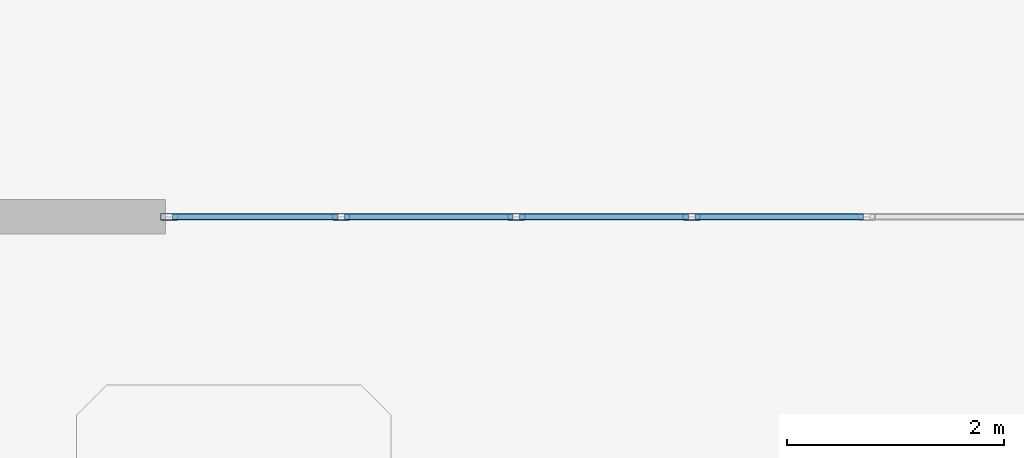
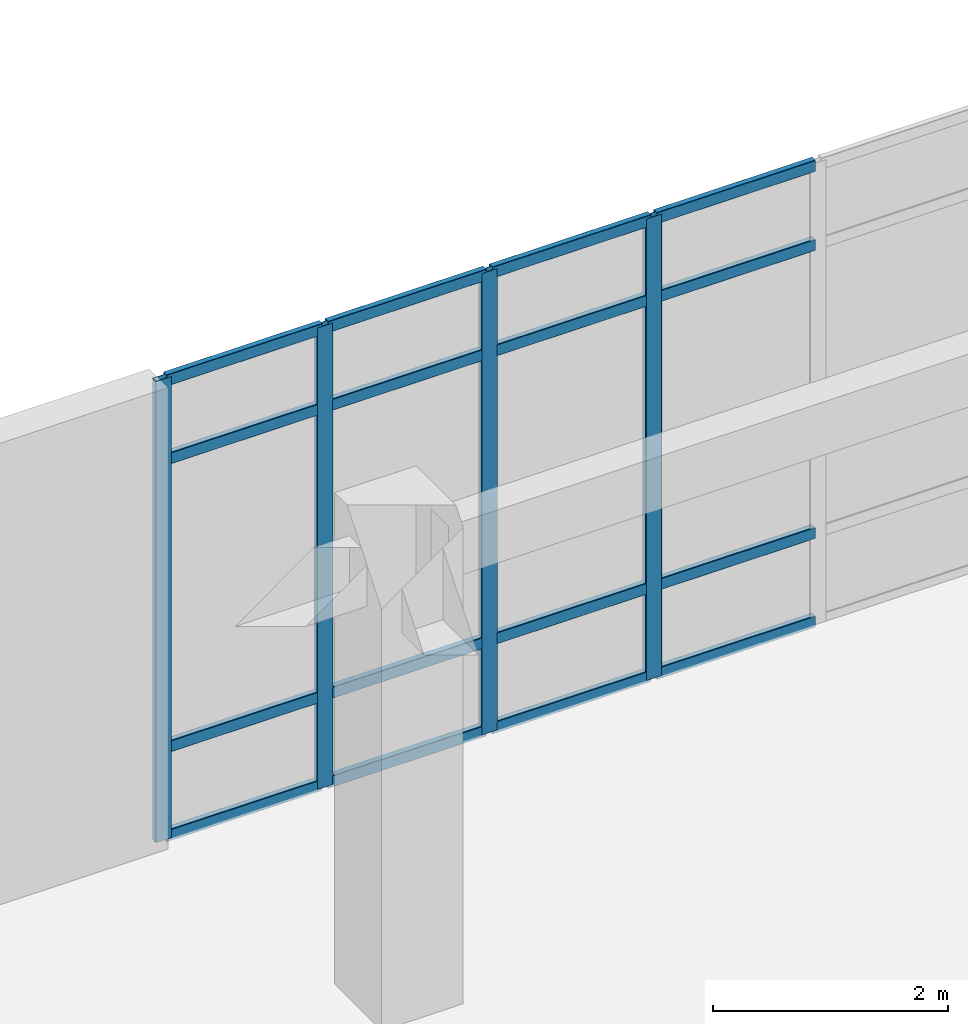
# One storey, part 75 of 124: 20 members, 1 element without a shape of its own.
"""IFC4 building model written with IfcOpenShell, lengths in metres."""

from ifc_helpers import new_model, si_unit, derived_unit, direction, frame, origin, origin_2d, place, context, subcontext, project, spatial, hollow_rectangle, extrude, material, layer, layer_set, material_profile, profile_set, type_object, element, aggregate, save


model = new_model("IFC4")

# Units and contexts
model_context = context("Model", 3, precision=1e-05, world=origin(), true_north=direction((0.0, 1.0)))
body_context = subcontext(model_context, "Body", "Model", "MODEL_VIEW")
ifc_project = project(units=[si_unit("LENGTHUNIT", "METRE"), si_unit("AREAUNIT", "SQUARE_METRE"), si_unit("VOLUMEUNIT", "CUBIC_METRE"), si_unit("PLANEANGLEUNIT", "RADIAN"), si_unit("MASSUNIT", "GRAM", prefix="KILO"), derived_unit("THERMALTRANSMITTANCEUNIT", [(si_unit("MASSUNIT", "GRAM", prefix="KILO"), 1), (si_unit("TIMEUNIT", "SECOND"), -3), (si_unit("THERMODYNAMICTEMPERATUREUNIT", "KELVIN"), -1)])], contexts=[model_context])

# Site, building, storey
site_placement = place(None, origin())
site = spatial("IfcSite", under=ifc_project, at=site_placement, CompositionType="ELEMENT")
building_placement = place(site_placement, origin())
building = spatial("IfcBuilding", under=site, at=building_placement, Name="Qinzheling Arcade Emporium", CompositionType="ELEMENT")
storey_placement = place(building_placement, frame((0.0, 0.0, 16.5)))
storey = spatial("IfcBuildingStorey", under=building, at=storey_placement, Name="L04", CompositionType="ELEMENT", Elevation=16.5)

# Curtain wall, members
ifc_material_1 = material(Name="Anodised aluminium and solar-control double glazing", Category="aluminium")
ifc_layer = layer(ifc_material_1, 0.159912109375, Name="Anodised aluminium and solar-control double glazing", Category="aluminium")
ifc_layer_set = layer_set([ifc_layer], Name="Anodised aluminium and solar-control double glazing")
curtain_wall_type = type_object("IfcCurtainWallType", Name="Food Hall Loggia Curtain Wall", PredefinedType="NOTDEFINED", material=ifc_layer_set)
curtain_wall_placement = place(storey_placement, origin())
curtain_wall = element("IfcCurtainWall", 1, at=curtain_wall_placement, inside=storey, type_object=curtain_wall_type, Name="Curtain Wall CW-L04-219", PredefinedType="NOTDEFINED")
ifc_material_2 = material(Name="Anodised aluminium 6063-T6", Category="aluminium")
ifc_material_profile_1 = material_profile(ifc_material_2, hollow_rectangle(XDim=0.06005859375, YDim=0.159912109375, WallThickness=0.00390625, InnerFilletRadius=0.00390625, OuterFilletRadius=0.008056640625, at=origin_2d()), Name="RHS 160x60x4", Category="aluminium")
ifc_profile_set_1 = profile_set([ifc_material_profile_1], Name="Anodised aluminium 6063-T6")
member_type_1 = type_object("IfcMemberType", Name="Curtain Wall Mullion RHS160x60", PredefinedType="MULLION", material=ifc_profile_set_1)
member_1_placement = place(storey_placement, frame((129.906982421875, 28.199951171875, 0.0), z_axis=(0.0, 0.0, 1.0), x_axis=(0.0, 1.0, 0.0)))
member_1 = element("IfcMember", 2, at=member_1_placement, type_object=member_type_1, Name="CW04 mullion 1", PredefinedType="MULLION", context=body_context, shape_type="SweptSolid", body=[
    extrude(hollow_rectangle(XDim=0.06005859375, YDim=0.159912109375, WallThickness=0.00390625, InnerFilletRadius=0.00390625, OuterFilletRadius=0.008056640625, at=origin_2d()), origin(), (0.0, 0.0, 1.0), 4.7900390625),
])
member_2_placement = place(storey_placement, frame((131.4912109375, 28.199951171875, 0.0), z_axis=(0.0, 0.0, 1.0), x_axis=(0.0, 1.0, 0.0)))
member_2 = element("IfcMember", 3, at=member_2_placement, type_object=member_type_1, Name="CW04 mullion 2", PredefinedType="MULLION", context=body_context, shape_type="SweptSolid", body=[
    extrude(hollow_rectangle(XDim=0.06005859375, YDim=0.159912109375, WallThickness=0.00390625, InnerFilletRadius=0.00390625, OuterFilletRadius=0.008056640625, at=origin_2d()), origin(), (0.0, 0.0, 1.0), 4.7900390625),
])
member_3_placement = place(storey_placement, frame((133.10546875, 28.199951171875, 0.0), z_axis=(0.0, 0.0, 1.0), x_axis=(0.0, 1.0, 0.0)))
member_3 = element("IfcMember", 4, at=member_3_placement, type_object=member_type_1, Name="CW04 mullion 3", PredefinedType="MULLION", context=body_context, shape_type="SweptSolid", body=[
    extrude(hollow_rectangle(XDim=0.06005859375, YDim=0.159912109375, WallThickness=0.00390625, InnerFilletRadius=0.00390625, OuterFilletRadius=0.008056640625, at=origin_2d()), origin(), (0.0, 0.0, 1.0), 4.7900390625),
])
member_4_placement = place(storey_placement, frame((134.719482421875, 28.199951171875, 0.0), z_axis=(0.0, 0.0, 1.0), x_axis=(0.0, 1.0, 0.0)))
member_4 = element("IfcMember", 5, at=member_4_placement, type_object=member_type_1, Name="CW04 mullion 4", PredefinedType="MULLION", context=body_context, shape_type="SweptSolid", body=[
    extrude(hollow_rectangle(XDim=0.06005859375, YDim=0.159912109375, WallThickness=0.00390625, InnerFilletRadius=0.00390625, OuterFilletRadius=0.008056640625, at=origin_2d()), origin(), (0.0, 0.0, 1.0), 4.7900390625),
])
ifc_material_profile_2 = material_profile(ifc_material_2, hollow_rectangle(XDim=0.06005859375, YDim=0.1201171875, WallThickness=0.00390625, InnerFilletRadius=0.00390625, OuterFilletRadius=0.008056640625, at=origin_2d()), Name="RHS 120x60x4", Category="aluminium")
ifc_profile_set_2 = profile_set([ifc_material_profile_2], Name="Anodised aluminium 6063-T6")
member_type_2 = type_object("IfcMemberType", Name="Curtain Wall Transom RHS120x60", PredefinedType="USERDEFINED", material=ifc_profile_set_2)
member_5_placement = place(storey_placement, frame((129.93701171875, 28.199951171875, 0.030029296875), z_axis=(1.0, 0.0, 0.0), x_axis=(0.0, 1.0, 0.0)))
member_5 = element("IfcMember", 6, at=member_5_placement, type_object=member_type_2, Name="CW04 transom 1.1", ObjectType="TRANSOM", PredefinedType="USERDEFINED", context=body_context, shape_type="SweptSolid", body=[
    extrude(hollow_rectangle(XDim=0.06005859375, YDim=0.1201171875, WallThickness=0.00390625, InnerFilletRadius=0.00390625, OuterFilletRadius=0.008056640625, at=origin_2d()), origin(), (0.0, 0.0, 1.0), 1.524169921875),
])
member_6_placement = place(storey_placement, frame((129.93701171875, 28.199951171875, 0.949951171875), z_axis=(1.0, 0.0, 0.0), x_axis=(0.0, 1.0, 0.0)))
member_6 = element("IfcMember", 7, at=member_6_placement, type_object=member_type_2, Name="CW04 transom 1.2", ObjectType="TRANSOM", PredefinedType="USERDEFINED", context=body_context, shape_type="SweptSolid", body=[
    extrude(hollow_rectangle(XDim=0.06005859375, YDim=0.1201171875, WallThickness=0.00390625, InnerFilletRadius=0.00390625, OuterFilletRadius=0.008056640625, at=origin_2d()), origin(), (0.0, 0.0, 1.0), 1.524169921875),
])
member_7_placement = place(storey_placement, frame((129.93701171875, 28.199951171875, 3.93994140625), z_axis=(1.0, 0.0, 0.0), x_axis=(0.0, 1.0, 0.0)))
member_7 = element("IfcMember", 8, at=member_7_placement, type_object=member_type_2, Name="CW04 transom 1.3", ObjectType="TRANSOM", PredefinedType="USERDEFINED", context=body_context, shape_type="SweptSolid", body=[
    extrude(hollow_rectangle(XDim=0.06005859375, YDim=0.1201171875, WallThickness=0.00390625, InnerFilletRadius=0.00390625, OuterFilletRadius=0.008056640625, at=origin_2d()), origin(), (0.0, 0.0, 1.0), 1.524169921875),
])
member_8_placement = place(storey_placement, frame((129.93701171875, 28.199951171875, 4.760009765625), z_axis=(1.0, 0.0, 0.0), x_axis=(0.0, 1.0, 0.0)))
member_8 = element("IfcMember", 9, at=member_8_placement, type_object=member_type_2, Name="CW04 transom 1.4", ObjectType="TRANSOM", PredefinedType="USERDEFINED", context=body_context, shape_type="SweptSolid", body=[
    extrude(hollow_rectangle(XDim=0.06005859375, YDim=0.1201171875, WallThickness=0.00390625, InnerFilletRadius=0.00390625, OuterFilletRadius=0.008056640625, at=origin_2d()), origin(), (0.0, 0.0, 1.0), 1.524169921875),
])
member_9_placement = place(storey_placement, frame((131.521240234375, 28.199951171875, 0.030029296875), z_axis=(1.0, 0.0, 0.0), x_axis=(0.0, 1.0, 0.0)))
member_9 = element("IfcMember", 10, at=member_9_placement, type_object=member_type_2, Name="CW04 transom 2.1", ObjectType="TRANSOM", PredefinedType="USERDEFINED", context=body_context, shape_type="SweptSolid", body=[
    extrude(hollow_rectangle(XDim=0.06005859375, YDim=0.1201171875, WallThickness=0.00390625, InnerFilletRadius=0.00390625, OuterFilletRadius=0.008056640625, at=origin_2d()), origin(), (0.0, 0.0, 1.0), 1.55419921875),
])
member_10_placement = place(storey_placement, frame((131.521240234375, 28.199951171875, 0.949951171875), z_axis=(1.0, 0.0, 0.0), x_axis=(0.0, 1.0, 0.0)))
member_10 = element("IfcMember", 11, at=member_10_placement, type_object=member_type_2, Name="CW04 transom 2.2", ObjectType="TRANSOM", PredefinedType="USERDEFINED", context=body_context, shape_type="SweptSolid", body=[
    extrude(hollow_rectangle(XDim=0.06005859375, YDim=0.1201171875, WallThickness=0.00390625, InnerFilletRadius=0.00390625, OuterFilletRadius=0.008056640625, at=origin_2d()), origin(), (0.0, 0.0, 1.0), 1.55419921875),
])
member_11_placement = place(storey_placement, frame((131.521240234375, 28.199951171875, 3.93994140625), z_axis=(1.0, 0.0, 0.0), x_axis=(0.0, 1.0, 0.0)))
member_11 = element("IfcMember", 12, at=member_11_placement, type_object=member_type_2, Name="CW04 transom 2.3", ObjectType="TRANSOM", PredefinedType="USERDEFINED", context=body_context, shape_type="SweptSolid", body=[
    extrude(hollow_rectangle(XDim=0.06005859375, YDim=0.1201171875, WallThickness=0.00390625, InnerFilletRadius=0.00390625, OuterFilletRadius=0.008056640625, at=origin_2d()), origin(), (0.0, 0.0, 1.0), 1.55419921875),
])
member_12_placement = place(storey_placement, frame((131.521240234375, 28.199951171875, 4.760009765625), z_axis=(1.0, 0.0, 0.0), x_axis=(0.0, 1.0, 0.0)))
member_12 = element("IfcMember", 13, at=member_12_placement, type_object=member_type_2, Name="CW04 transom 2.4", ObjectType="TRANSOM", PredefinedType="USERDEFINED", context=body_context, shape_type="SweptSolid", body=[
    extrude(hollow_rectangle(XDim=0.06005859375, YDim=0.1201171875, WallThickness=0.00390625, InnerFilletRadius=0.00390625, OuterFilletRadius=0.008056640625, at=origin_2d()), origin(), (0.0, 0.0, 1.0), 1.55419921875),
])
member_13_placement = place(storey_placement, frame((133.135498046875, 28.199951171875, 0.030029296875), z_axis=(1.0, 0.0, 0.0), x_axis=(0.0, 1.0, 0.0)))
member_13 = element("IfcMember", 14, at=member_13_placement, type_object=member_type_2, Name="CW04 transom 3.1", ObjectType="TRANSOM", PredefinedType="USERDEFINED", context=body_context, shape_type="SweptSolid", body=[
    extrude(hollow_rectangle(XDim=0.06005859375, YDim=0.1201171875, WallThickness=0.00390625, InnerFilletRadius=0.00390625, OuterFilletRadius=0.008056640625, at=origin_2d()), origin(), (0.0, 0.0, 1.0), 1.55419921875),
])
member_14_placement = place(storey_placement, frame((133.135498046875, 28.199951171875, 0.949951171875), z_axis=(1.0, 0.0, 0.0), x_axis=(0.0, 1.0, 0.0)))
member_14 = element("IfcMember", 15, at=member_14_placement, type_object=member_type_2, Name="CW04 transom 3.2", ObjectType="TRANSOM", PredefinedType="USERDEFINED", context=body_context, shape_type="SweptSolid", body=[
    extrude(hollow_rectangle(XDim=0.06005859375, YDim=0.1201171875, WallThickness=0.00390625, InnerFilletRadius=0.00390625, OuterFilletRadius=0.008056640625, at=origin_2d()), origin(), (0.0, 0.0, 1.0), 1.55419921875),
])
member_15_placement = place(storey_placement, frame((133.135498046875, 28.199951171875, 3.93994140625), z_axis=(1.0, 0.0, 0.0), x_axis=(0.0, 1.0, 0.0)))
member_15 = element("IfcMember", 16, at=member_15_placement, type_object=member_type_2, Name="CW04 transom 3.3", ObjectType="TRANSOM", PredefinedType="USERDEFINED", context=body_context, shape_type="SweptSolid", body=[
    extrude(hollow_rectangle(XDim=0.06005859375, YDim=0.1201171875, WallThickness=0.00390625, InnerFilletRadius=0.00390625, OuterFilletRadius=0.008056640625, at=origin_2d()), origin(), (0.0, 0.0, 1.0), 1.55419921875),
])
member_16_placement = place(storey_placement, frame((133.135498046875, 28.199951171875, 4.760009765625), z_axis=(1.0, 0.0, 0.0), x_axis=(0.0, 1.0, 0.0)))
member_16 = element("IfcMember", 17, at=member_16_placement, type_object=member_type_2, Name="CW04 transom 3.4", ObjectType="TRANSOM", PredefinedType="USERDEFINED", context=body_context, shape_type="SweptSolid", body=[
    extrude(hollow_rectangle(XDim=0.06005859375, YDim=0.1201171875, WallThickness=0.00390625, InnerFilletRadius=0.00390625, OuterFilletRadius=0.008056640625, at=origin_2d()), origin(), (0.0, 0.0, 1.0), 1.55419921875),
])
member_17_placement = place(storey_placement, frame((134.74951171875, 28.199951171875, 0.030029296875), z_axis=(1.0, 0.0, 0.0), x_axis=(0.0, 1.0, 0.0)))
member_17 = element("IfcMember", 18, at=member_17_placement, type_object=member_type_2, Name="CW04 transom 4.1", ObjectType="TRANSOM", PredefinedType="USERDEFINED", context=body_context, shape_type="SweptSolid", body=[
    extrude(hollow_rectangle(XDim=0.06005859375, YDim=0.1201171875, WallThickness=0.00390625, InnerFilletRadius=0.00390625, OuterFilletRadius=0.008056640625, at=origin_2d()), origin(), (0.0, 0.0, 1.0), 1.55419921875),
])
member_18_placement = place(storey_placement, frame((134.74951171875, 28.199951171875, 0.949951171875), z_axis=(1.0, 0.0, 0.0), x_axis=(0.0, 1.0, 0.0)))
member_18 = element("IfcMember", 19, at=member_18_placement, type_object=member_type_2, Name="CW04 transom 4.2", ObjectType="TRANSOM", PredefinedType="USERDEFINED", context=body_context, shape_type="SweptSolid", body=[
    extrude(hollow_rectangle(XDim=0.06005859375, YDim=0.1201171875, WallThickness=0.00390625, InnerFilletRadius=0.00390625, OuterFilletRadius=0.008056640625, at=origin_2d()), origin(), (0.0, 0.0, 1.0), 1.55419921875),
])
member_19_placement = place(storey_placement, frame((134.74951171875, 28.199951171875, 3.93994140625), z_axis=(1.0, 0.0, 0.0), x_axis=(0.0, 1.0, 0.0)))
member_19 = element("IfcMember", 20, at=member_19_placement, type_object=member_type_2, Name="CW04 transom 4.3", ObjectType="TRANSOM", PredefinedType="USERDEFINED", context=body_context, shape_type="SweptSolid", body=[
    extrude(hollow_rectangle(XDim=0.06005859375, YDim=0.1201171875, WallThickness=0.00390625, InnerFilletRadius=0.00390625, OuterFilletRadius=0.008056640625, at=origin_2d()), origin(), (0.0, 0.0, 1.0), 1.55419921875),
])
member_20_placement = place(storey_placement, frame((134.74951171875, 28.199951171875, 4.760009765625), z_axis=(1.0, 0.0, 0.0), x_axis=(0.0, 1.0, 0.0)))
member_20 = element("IfcMember", 21, at=member_20_placement, type_object=member_type_2, Name="CW04 transom 4.4", ObjectType="TRANSOM", PredefinedType="USERDEFINED", context=body_context, shape_type="SweptSolid", body=[
    extrude(hollow_rectangle(XDim=0.06005859375, YDim=0.1201171875, WallThickness=0.00390625, InnerFilletRadius=0.00390625, OuterFilletRadius=0.008056640625, at=origin_2d()), origin(), (0.0, 0.0, 1.0), 1.55419921875),
])
aggregate(curtain_wall, [member_1, member_2, member_3, member_4, member_5, member_6, member_7, member_8, member_9, member_10, member_11, member_12, member_13, member_14, member_15, member_16, member_17, member_18, member_19, member_20])

save(model, "model.ifc")
